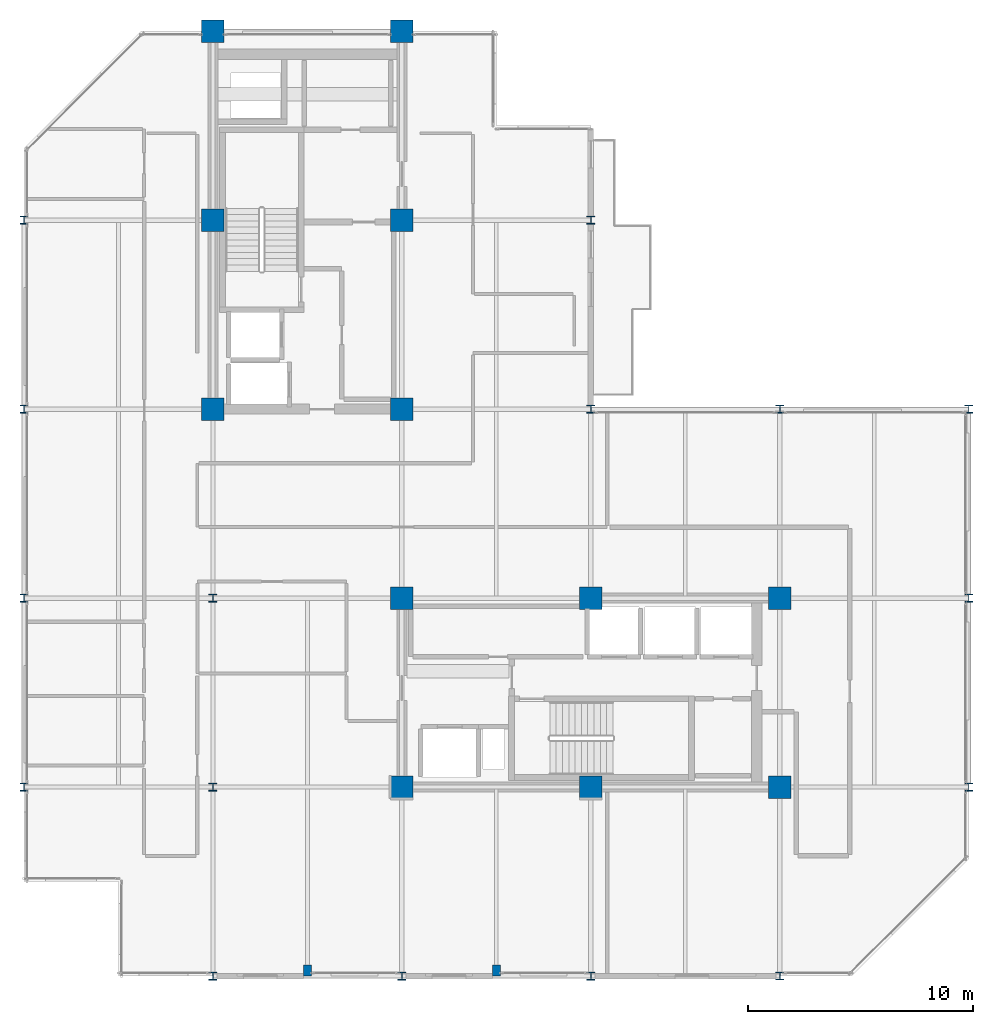
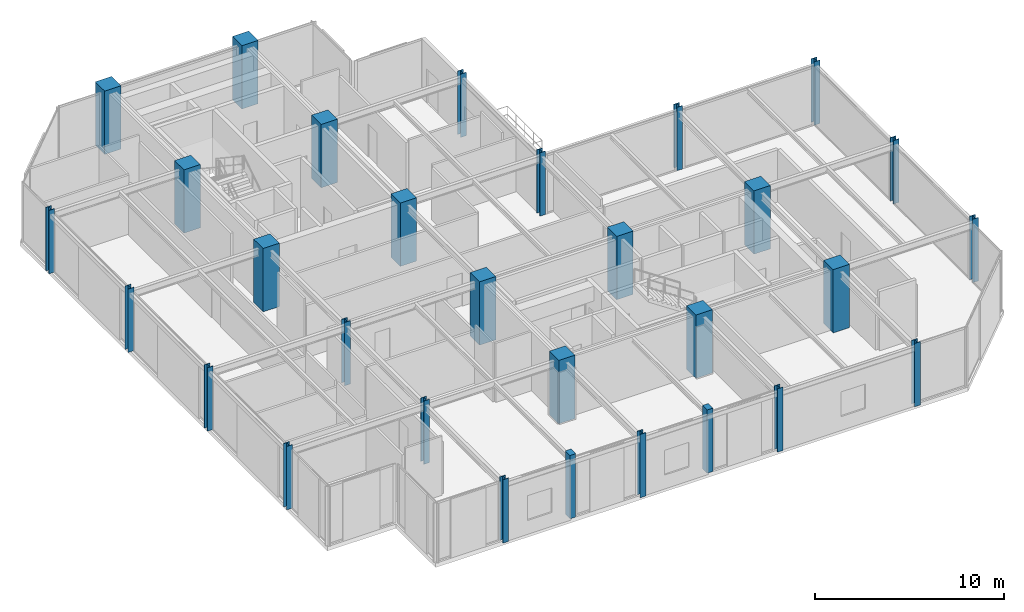
# One storey, part 1 of 25: 30 columns.
"""IFC4 building model written with IfcOpenShell, lengths in metres."""

import ifcopenshell
import ifcopenshell.guid

model = None  # the IFC model being written
_history = None  # IfcOwnerHistory: only IFC2X3 demands one
_inside = {}  # id of a spatial element -> (the spatial element, [elements in it])
_under = {}  # id of a project, library or spatial element -> (it, [spatial elements below it])
_declared = {}  # id of a project -> (the project, [libraries it declares])
_typed = {}  # id of a type object -> (the type object, [elements of that type])
_made_of = {}  # id of a material, layer set ... -> (it, [elements and type objects made of it])


def new_model(schema):
    """Start an empty IFC model of exactly this schema.

    Asked for "IFC4X3", IfcOpenShell would pick the latest addendum, in which some entities
    have other attributes; the version numbers below select the first issue.
    IFC2X3 requires an IfcOwnerHistory on every rooted entity: one is made here for all.
    """
    global model, _history
    if schema == "IFC4X3":
        model = ifcopenshell.file(schema_version=(4, 3, 0, 0))
    else:
        model = ifcopenshell.file(schema=schema)
    _inside.clear()
    _under.clear()
    _declared.clear()
    _typed.clear()
    _made_of.clear()
    _history = None
    if model.schema == "IFC2X3":
        org = make("IfcOrganization", Name="unknown")
        user = make(
            "IfcPersonAndOrganization",
            ThePerson=make("IfcPerson", FamilyName="unknown"),
            TheOrganization=org,
        )
        app = make(
            "IfcApplication",
            ApplicationDeveloper=org,
            Version="unknown",
            ApplicationFullName="unknown",
            ApplicationIdentifier="unknown",
        )
        _history = make(
            "IfcOwnerHistory",
            OwningUser=user,
            OwningApplication=app,
            ChangeAction="ADDED",
            CreationDate=0,
        )
    return model


def make(cls, **values):
    """One entity of the class cls with the attributes given. An attribute that is None is left unset."""
    return model.create_entity(
        cls, **{name: value for name, value in values.items() if value is not None}
    )


def rooted(cls, **values):
    """An entity with a GlobalId (a new one), such as an element, a storey or a relation."""
    return make(cls, GlobalId=ifcopenshell.guid.new(), OwnerHistory=_history, **values)


def si_unit(unit_type, name, prefix=None):
    """IfcSIUnit, for example si_unit("LENGTHUNIT", "METRE", prefix="MILLI")."""
    return make("IfcSIUnit", UnitType=unit_type, Prefix=prefix, Name=name)


def assignment(units):
    """IfcUnitAssignment: the units of a project."""
    return None if units is None else make("IfcUnitAssignment", Units=units)


def point(xyz):
    """IfcCartesianPoint."""
    return None if xyz is None else make("IfcCartesianPoint", Coordinates=xyz)


def direction(xyz):
    """IfcDirection."""
    return None if xyz is None else make("IfcDirection", DirectionRatios=xyz)


def frame(location, z_axis=None, x_axis=None):
    """IfcAxis2Placement3D, a coordinate frame: its origin and axes. An axis left out is left unset."""
    return make(
        "IfcAxis2Placement3D",
        Location=point(location),
        Axis=direction(z_axis),
        RefDirection=direction(x_axis),
    )


def frame_2d(location, x_axis=None):
    """IfcAxis2Placement2D, a coordinate frame in the plane: its origin and x axis."""
    return make(
        "IfcAxis2Placement2D", Location=point(location), RefDirection=direction(x_axis)
    )


def origin():
    """The frame at (0, 0, 0) with its axes left unset."""
    return frame((0.0, 0.0, 0.0))


def origin_2d():
    """The frame at (0, 0) in the plane with its x axis left unset."""
    return frame_2d((0.0, 0.0))


def place(relative_to, where):
    """IfcLocalPlacement: puts the frame where relative to a parent placement (None: the world)."""
    return make(
        "IfcLocalPlacement", PlacementRelTo=relative_to, RelativePlacement=where
    )


def context(
    kind, dimensions, precision=None, world=None, true_north=None, identifier=None
):
    """IfcGeometricRepresentationContext, for example the 3D "Model" context."""
    return make(
        "IfcGeometricRepresentationContext",
        ContextIdentifier=identifier,
        ContextType=kind,
        CoordinateSpaceDimension=dimensions,
        Precision=precision,
        WorldCoordinateSystem=world,
        TrueNorth=true_north,
    )


def subcontext(parent, identifier, kind, view, scale=None):
    """IfcGeometricRepresentationSubContext, for example "Body" below "Model"."""
    return make(
        "IfcGeometricRepresentationSubContext",
        ContextIdentifier=identifier,
        ContextType=kind,
        ParentContext=parent,
        TargetScale=scale,
        TargetView=view,
    )


def project(units=None, contexts=None):
    """IfcProject with its units and contexts."""
    return rooted(
        "IfcProject",
        Name="project",
        RepresentationContexts=contexts,
        UnitsInContext=assignment(units),
    )


def spatial(cls, under=None, at=None, **own):
    """A site, building, storey or space (cls), placed at a placement, below another one or the project."""
    s = rooted(cls, ObjectPlacement=at, **own)
    if under is not None:
        _under.setdefault(under.id(), (under, []))[1].append(s)
    return s


def profile(cls, at=None, kind="AREA", **sizes):
    """A parametric profile (cls). Its sizes go by their IFC names, for example OverallWidth=200.0."""
    return make(cls, ProfileType=kind, Position=at, **sizes)


def rectangle(**sizes):
    """IfcRectangleProfileDef."""
    return profile("IfcRectangleProfileDef", **sizes)


def i_section(**sizes):
    """IfcIShapeProfileDef."""
    return profile("IfcIShapeProfileDef", **sizes)


def extrude(swept, where, along, depth):
    """IfcExtrudedAreaSolid: the profile swept, set in the frame where, extruded along a direction by depth."""
    return make(
        "IfcExtrudedAreaSolid",
        SweptArea=swept,
        Position=where,
        ExtrudedDirection=direction(along),
        Depth=depth,
    )


def shape(context_of_items, identifier, shape_type, items):
    """IfcShapeRepresentation: the items that make up one representation, for example the "Body"."""
    return make(
        "IfcShapeRepresentation",
        ContextOfItems=context_of_items,
        RepresentationIdentifier=identifier,
        RepresentationType=shape_type,
        Items=items,
    )


def material(Name=None, Category=None):
    """IfcMaterial."""
    return make("IfcMaterial", Name=Name, Category=Category)


def material_profile(
    of_material, cross_section, Name=None, Category=None, Priority=None
):
    """IfcMaterialProfile: a cross section and its material."""
    return make(
        "IfcMaterialProfile",
        Name=Name,
        Material=of_material,
        Profile=cross_section,
        Priority=Priority,
        Category=Category,
    )


def profile_set(profiles, Name=None, composite=None):
    """IfcMaterialProfileSet."""
    return make(
        "IfcMaterialProfileSet",
        Name=Name,
        MaterialProfiles=profiles,
        CompositeProfile=composite,
    )


def made_of(thing, what):
    """Note that an element or type object is made of a material, layer set ...; save() writes the relation."""
    if what is not None:
        _made_of.setdefault(what.id(), (what, []))[1].append(thing)
    return thing


def type_object(cls, material=None, **own):
    """A type object (cls), such as IfcWallType, which elements share."""
    return made_of(rooted(cls, **own), material)


def element(
    cls,
    number,
    at=None,
    inside=None,
    cuts=None,
    type_object=None,
    material=None,
    context=None,
    identifier="Body",
    shape_type=None,
    held_by="IfcProductDefinitionShape",
    body=None,
    shapes=None,
    **own,
):
    """One element of the class cls, such as IfcWall. Its Tag is "e" and its number.

    at: its placement. inside: the storey or other place that contains it. cuts: it is an
    opening in that element (IfcRelVoidsElement). A single representation is given by context,
    identifier, shape_type and body (its items); several are given by shapes. held_by: the class
    of the entity that holds the representations. save() writes the other relations.
    """
    e = rooted(cls, Tag="e%d" % number, ObjectPlacement=at, **own)
    if body is not None:
        shapes = [shape(context, identifier, shape_type, body)]
    if shapes is not None:
        e.Representation = make(held_by, Representations=shapes)
    if inside is not None:
        _inside.setdefault(inside.id(), (inside, []))[1].append(e)
    if cuts is not None:
        rooted(
            "IfcRelVoidsElement", RelatingBuildingElement=cuts, RelatedOpeningElement=e
        )
    if type_object is not None:
        _typed.setdefault(type_object.id(), (type_object, []))[1].append(e)
    return made_of(e, material)


def aggregate(whole, parts):
    """IfcRelAggregates: a whole, such as a stair, and the parts it consists of."""
    return rooted("IfcRelAggregates", RelatingObject=whole, RelatedObjects=parts)


def save(model, path):
    """Write the relations noted so far, then the file.

    IfcRelAggregates (storeys below a building ...), IfcRelContainedInSpatialStructure (elements
    in a storey), IfcRelDefinesByType, IfcRelAssociatesMaterial and IfcRelDeclares: one each for
    every whole, place, type object, material and project.
    """
    for whole, parts in _under.values():
        aggregate(whole, parts)
    for where, things in _inside.values():
        rooted(
            "IfcRelContainedInSpatialStructure",
            RelatedElements=things,
            RelatingStructure=where,
        )
    for kind, things in _typed.values():
        rooted("IfcRelDefinesByType", RelatedObjects=things, RelatingType=kind)
    for what, things in _made_of.values():
        rooted("IfcRelAssociatesMaterial", RelatedObjects=things, RelatingMaterial=what)
    for by, libraries in _declared.values():
        rooted("IfcRelDeclares", RelatingContext=by, RelatedDefinitions=libraries)
    model.write(path)


model = new_model("IFC4")

# Units and contexts
model_context = context("Model", 3, precision=1e-05, world=origin(), true_north=direction((0.0, 1.0)))
body_context = subcontext(model_context, "Body", "Model", "MODEL_VIEW")
ifc_project = project(units=[si_unit("LENGTHUNIT", "METRE"), si_unit("AREAUNIT", "SQUARE_METRE"), si_unit("VOLUMEUNIT", "CUBIC_METRE"), si_unit("PLANEANGLEUNIT", "RADIAN"), si_unit("MASSUNIT", "GRAM", prefix="KILO")], contexts=[model_context])

# Site, building, storey
site_placement = place(None, origin())
site = spatial("IfcSite", under=ifc_project, at=site_placement, CompositionType="ELEMENT")
building_placement = place(site_placement, origin())
building = spatial("IfcBuilding", under=site, at=building_placement, Name="Nerrivon Quay Data Exchange", CompositionType="ELEMENT")
storey_placement = place(building_placement, frame((0.0, 0.0, 237.0)))
storey = spatial("IfcBuildingStorey", under=building, at=storey_placement, Name="L56", CompositionType="ELEMENT", Elevation=237.0)

# Columns
ifc_material_1 = material(Name="Concrete S65 (65 MPa)", Category="concrete")
ifc_material_profile_1 = material_profile(ifc_material_1, rectangle(XDim=1.0, YDim=1.0, at=origin_2d()), Name="RC-COL-1000x1000")
ifc_profile_set_1 = profile_set([ifc_material_profile_1], Name="Concrete S65 (65 MPa)")
column_type_1 = type_object("IfcColumnType", Name="COL-C4-1000", PredefinedType="COLUMN", material=ifc_profile_set_1)
for number, where, z_axis, x_axis, name in (
    (1, (8.39990234375, 25.199951171875, 0.0), (0.0, 0.0, 1.0), (1.0, 0.0, 0.0), "L56 Column (8.4,25.2)"),
    (2, (8.39990234375, 33.60009765625, 0.0), (0.0, 0.0, 1.0), (1.0, 0.0, 0.0), "L56 Column (8.4,33.6)"),
    (3, (8.39990234375, 42.0, 0.0), (0.0, 0.0, 1.0), (1.0, 0.0, 0.0), "L56 Column (8.4,42.0)"),
    (4, (16.800048828125, 8.39990234375, 0.0), (0.0, 0.0, 1.0), (1.0, 0.0, 0.0), "L56 Column (16.8,8.4)"),
    (5, (16.800048828125, 16.800048828125, 0.0), (0.0, 0.0, 1.0), (1.0, 0.0, 0.0), "L56 Column (16.8,16.8)"),
    (6, (16.800048828125, 25.199951171875, 0.0), (0.0, 0.0, 1.0), (1.0, 0.0, 0.0), "L56 Column (16.8,25.2)"),
    (7, (16.800048828125, 33.60009765625, 0.0), (0.0, 0.0, 1.0), (1.0, 0.0, 0.0), "L56 Column (16.8,33.6)"),
    (8, (16.800048828125, 42.0, 0.0), (0.0, 0.0, 1.0), (1.0, 0.0, 0.0), "L56 Column (16.8,42.0)"),
    (9, (25.199951171875, 8.39990234375, 0.0), (0.0, 0.0, 1.0), (1.0, 0.0, 0.0), "L56 Column (25.2,8.4)"),
    (10, (25.199951171875, 16.800048828125, 0.0), (0.0, 0.0, 1.0), (1.0, 0.0, 0.0), "L56 Column (25.2,16.8)"),
    (11, (33.60009765625, 8.39990234375, 0.0), (0.0, 0.0, 1.0), (1.0, 0.0, 0.0), "L56 Column (33.6,8.4)"),
    (12, (33.60009765625, 16.800048828125, 0.0), (0.0, 0.0, 1.0), (1.0, 0.0, 0.0), "L56 Column (33.6,16.8)"),
):
    element("IfcColumn", number, at=place(storey_placement, frame(where, z_axis=z_axis, x_axis=x_axis)), inside=storey, type_object=column_type_1, Name=name, PredefinedType="COLUMN", context=body_context, shape_type="SweptSolid", body=[
        extrude(rectangle(XDim=1.0, YDim=1.0, at=origin_2d()), origin(), (0.0, 0.0, 1.0), 4.10009765625),
    ])
ifc_material_2 = material(Name="Steel Grade 350", Category="steel")
ifc_material_profile_2 = material_profile(ifc_material_2, i_section(OverallWidth=0.35009765625, OverallDepth=0.35009765625, WebThickness=0.02001953125, FlangeThickness=0.031982421875, at=origin_2d()), Name="350WC230")
ifc_profile_set_2 = profile_set([ifc_material_profile_2], Name="Steel Grade 350")
column_type_2 = type_object("IfcColumnType", Name="COL-SC3-350WC", PredefinedType="COLUMN", material=ifc_profile_set_2)
for number, where, z_axis, x_axis, name in (
    (13, (0.0, 8.39990234375, 0.0), (0.0, 0.0, 1.0), (1.0, 0.0, 0.0), "L56 Column (0.0,8.4)"),
    (14, (0.0, 16.800048828125, 0.0), (0.0, 0.0, 1.0), (1.0, 0.0, 0.0), "L56 Column (0.0,16.8)"),
    (15, (0.0, 25.199951171875, 0.0), (0.0, 0.0, 1.0), (1.0, 0.0, 0.0), "L56 Column (0.0,25.2)"),
    (16, (0.0, 33.60009765625, 0.0), (0.0, 0.0, 1.0), (1.0, 0.0, 0.0), "L56 Column (0.0,33.6)"),
    (17, (8.39990234375, 0.0, 0.0), (0.0, 0.0, 1.0), (1.0, 0.0, 0.0), "L56 Column (8.4,0.0)"),
    (18, (8.39990234375, 8.39990234375, 0.0), (0.0, 0.0, 1.0), (1.0, 0.0, 0.0), "L56 Column (8.4,8.4)"),
    (19, (8.39990234375, 16.800048828125, 0.0), (0.0, 0.0, 1.0), (1.0, 0.0, 0.0), "L56 Column (8.4,16.8)"),
    (20, (16.800048828125, 0.0, 0.0), (0.0, 0.0, 1.0), (1.0, 0.0, 0.0), "L56 Column (16.8,0.0)"),
    (21, (25.199951171875, 0.0, 0.0), (0.0, 0.0, 1.0), (1.0, 0.0, 0.0), "L56 Column (25.2,0.0)"),
    (22, (25.199951171875, 25.199951171875, 0.0), (0.0, 0.0, 1.0), (1.0, 0.0, 0.0), "L56 Column (25.2,25.2)"),
    (23, (25.199951171875, 33.60009765625, 0.0), (0.0, 0.0, 1.0), (1.0, 0.0, 0.0), "L56 Column (25.2,33.6)"),
    (24, (33.60009765625, 0.0, 0.0), (0.0, 0.0, 1.0), (1.0, 0.0, 0.0), "L56 Column (33.6,0.0)"),
    (25, (33.60009765625, 25.199951171875, 0.0), (0.0, 0.0, 1.0), (1.0, 0.0, 0.0), "L56 Column (33.6,25.2)"),
    (26, (42.0, 8.39990234375, 0.0), (0.0, 0.0, 1.0), (1.0, 0.0, 0.0), "L56 Column (42.0,8.4)"),
    (27, (42.0, 16.800048828125, 0.0), (0.0, 0.0, 1.0), (1.0, 0.0, 0.0), "L56 Column (42.0,16.8)"),
    (28, (42.0, 25.199951171875, 0.0), (0.0, 0.0, 1.0), (1.0, 0.0, 0.0), "L56 Column (42.0,25.2)"),
):
    element("IfcColumn", number, at=place(storey_placement, frame(where, z_axis=z_axis, x_axis=x_axis)), inside=storey, type_object=column_type_2, Name=name, PredefinedType="COLUMN", context=body_context, shape_type="SweptSolid", body=[
        extrude(i_section(OverallWidth=0.35009765625, OverallDepth=0.35009765625, WebThickness=0.02001953125, FlangeThickness=0.031982421875, at=origin_2d()), origin(), (0.0, 0.0, 1.0), 4.10009765625),
    ])
ifc_material_3 = material(Name="Concrete N50 (50 MPa)", Category="concrete")
ifc_material_profile_3 = material_profile(ifc_material_3, rectangle(XDim=0.35009765625, YDim=0.5, at=origin_2d()), Name="RC-PIL-500x350")
ifc_profile_set_3 = profile_set([ifc_material_profile_3], Name="Concrete N50 (50 MPa)")
column_type_3 = type_object("IfcColumnType", Name="PIL-P2-500x350", PredefinedType="PILASTER", material=ifc_profile_set_3)
for number, where, z_axis, x_axis, name in (
    (29, (12.60009765625, 0.25, 0.0), (0.0, 0.0, 1.0), (1.0, 0.0, 0.0), "L56 Facade Pilaster (12.6)"),
    (30, (21.0, 0.25, 0.0), (0.0, 0.0, 1.0), (1.0, 0.0, 0.0), "L56 Facade Pilaster (21.0)"),
):
    element("IfcColumn", number, at=place(storey_placement, frame(where, z_axis=z_axis, x_axis=x_axis)), inside=storey, type_object=column_type_3, Name=name, PredefinedType="PILASTER", context=body_context, shape_type="SweptSolid", body=[
        extrude(rectangle(XDim=0.35009765625, YDim=0.5, at=origin_2d()), origin(), (0.0, 0.0, 1.0), 4.10009765625),
    ])

save(model, "model.ifc")
